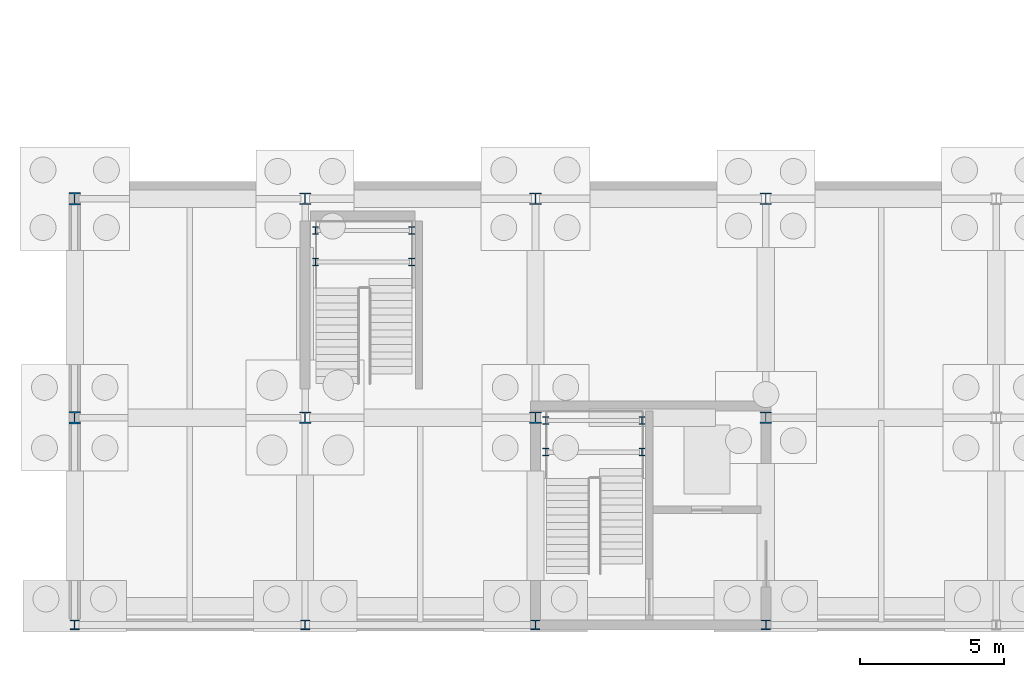
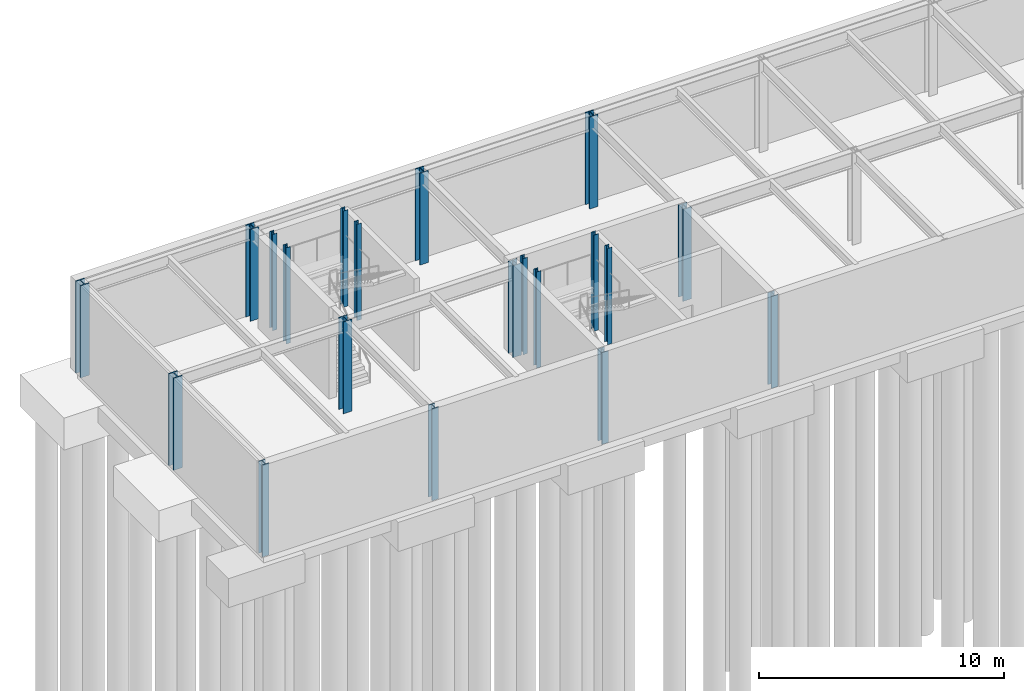
# One storey, part 5 of 21: 20 columns.
"""IFC4 building model written with IfcOpenShell, lengths in metres."""

from ifc_helpers import new_model, si_unit, direction, frame, origin, origin_2d, place, context, subcontext, project, spatial, i_section, extrude, material, material_profile, profile_set, type_object, element, save


model = new_model("IFC4")

# Units and contexts
model_context = context("Model", 3, precision=1e-05, world=origin(), true_north=direction((0.0, 1.0)))
body_context = subcontext(model_context, "Body", "Model", "MODEL_VIEW")
ifc_project = project(units=[si_unit("LENGTHUNIT", "METRE"), si_unit("AREAUNIT", "SQUARE_METRE"), si_unit("VOLUMEUNIT", "CUBIC_METRE"), si_unit("PLANEANGLEUNIT", "RADIAN"), si_unit("MASSUNIT", "GRAM", prefix="KILO")], contexts=[model_context])

# Site, building, storey
site_placement = place(None, origin())
site = spatial("IfcSite", under=ifc_project, at=site_placement, CompositionType="ELEMENT")
building_placement = place(site_placement, origin())
building = spatial("IfcBuilding", under=site, at=building_placement, Name="Zulena Civic Courthouse", CompositionType="ELEMENT")
storey_placement = place(building_placement, frame((0.0, 0.0, -4.800048828125)))
storey = spatial("IfcBuildingStorey", under=building, at=storey_placement, Name="B01", CompositionType="ELEMENT", Elevation=-4.800048828125)

# Columns
ifc_material = material(Name="Steel ASTM A992 Grade 50", Category="steel")
ifc_material_profile_1 = material_profile(ifc_material, i_section(OverallWidth=0.2041015625, OverallDepth=0.257080078125, WebThickness=0.0087890625, FlangeThickness=0.015625, FilletRadius=0.0126953125, at=origin_2d()), Name="W10X45")
ifc_profile_set_1 = profile_set([ifc_material_profile_1], Name="Steel ASTM A992 Grade 50")
column_type_1 = type_object("IfcColumnType", Name="Col_W10X45", PredefinedType="COLUMN", material=ifc_profile_set_1)
for number, where, z_axis, x_axis, name in (
    (1, (20.360107421875, 52.0, 0.0), (0.0, 0.0, 1.0), (1.0, 0.0, 0.0), "col:lnd:K5A:B01:0:0"),
    (2, (23.699951171875, 52.0, 0.0), (0.0, 0.0, 1.0), (1.0, 0.0, 0.0), "col:lnd:K5A:B01:0:1"),
    (3, (20.360107421875, 53.10009765625, 0.0), (0.0, 0.0, 1.0), (1.0, 0.0, 0.0), "col:lnd:K5A:B01:1:0"),
    (4, (23.699951171875, 53.10009765625, 0.0), (0.0, 0.0, 1.0), (1.0, 0.0, 0.0), "col:lnd:K5A:B01:1:1"),
    (5, (12.360107421875, 58.60009765625, 0.0), (0.0, 0.0, 1.0), (1.0, 0.0, 0.0), "col:lnd:STB1:B01:0:0"),
    (6, (15.699951171875, 58.60009765625, 0.0), (0.0, 0.0, 1.0), (1.0, 0.0, 0.0), "col:lnd:STB1:B01:0:1"),
    (7, (12.360107421875, 59.699951171875, 0.0), (0.0, 0.0, 1.0), (1.0, 0.0, 0.0), "col:lnd:STB1:B01:1:0"),
    (8, (15.699951171875, 59.699951171875, 0.0), (0.0, 0.0, 1.0), (1.0, 0.0, 0.0), "col:lnd:STB1:B01:1:1"),
):
    element("IfcColumn", number, at=place(storey_placement, frame(where, z_axis=z_axis, x_axis=x_axis)), inside=storey, type_object=column_type_1, Name=name, PredefinedType="COLUMN", context=body_context, shape_type="SweptSolid", body=[
        extrude(i_section(OverallWidth=0.2041015625, OverallDepth=0.257080078125, WebThickness=0.0087890625, FlangeThickness=0.015625, FilletRadius=0.0126953125, at=origin_2d()), origin(), (0.0, 0.0, 1.0), 4.795166015625),
    ])
ifc_material_profile_2 = material_profile(ifc_material, i_section(OverallWidth=0.31298828125, OverallDepth=0.3330078125, WebThickness=0.01806640625, FlangeThickness=0.0283203125, FilletRadius=0.01513671875, at=origin_2d()), Name="W12X120")
ifc_profile_set_2 = profile_set([ifc_material_profile_2], Name="Steel ASTM A992 Grade 50")
column_type_2 = type_object("IfcColumnType", Name="Col_W12X120", PredefinedType="COLUMN", material=ifc_profile_set_2)
for number, where, z_axis, x_axis, name in (
    (9, (4.0, 46.0, 0.0), (0.0, 0.0, 1.0), (1.0, 0.0, 0.0), "col:V5:B01:4.0:46.0"),
    (10, (12.0, 46.0, 0.0), (0.0, 0.0, 1.0), (1.0, 0.0, 0.0), "col:V5:B01:12.0:46.0"),
    (11, (20.0, 46.0, 0.0), (0.0, 0.0, 1.0), (1.0, 0.0, 0.0), "col:V5:B01:20.0:46.0"),
    (12, (28.0, 46.0, 0.0), (0.0, 0.0, 1.0), (1.0, 0.0, 0.0), "col:V5:B01:28.0:46.0"),
):
    element("IfcColumn", number, at=place(storey_placement, frame(where, z_axis=z_axis, x_axis=x_axis)), inside=storey, type_object=column_type_2, Name=name, PredefinedType="COLUMN", context=body_context, shape_type="SweptSolid", body=[
        extrude(i_section(OverallWidth=0.31298828125, OverallDepth=0.3330078125, WebThickness=0.01806640625, FlangeThickness=0.0283203125, FilletRadius=0.01513671875, at=origin_2d()), origin(), (0.0, 0.0, 1.0), 4.580078125),
    ])
ifc_material_profile_3 = material_profile(ifc_material, i_section(OverallWidth=0.40087890625, OverallDepth=0.39892578125, WebThickness=0.02490234375, FlangeThickness=0.03955078125, FilletRadius=0.01513671875, at=origin_2d()), Name="W14X211")
ifc_profile_set_3 = profile_set([ifc_material_profile_3], Name="Steel ASTM A992 Grade 50")
column_type_3 = type_object("IfcColumnType", Name="Col_W14X211", PredefinedType="COLUMN", material=ifc_profile_set_3)
for number, where, z_axis, x_axis, name in (
    (13, (12.0, 53.199951171875, 0.0), (0.0, 0.0, 1.0), (1.0, 0.0, 0.0), "col:V5:B01:12.0:53.2"),
    (14, (12.0, 60.800048828125, 0.0), (0.0, 0.0, 1.0), (1.0, 0.0, 0.0), "col:V5:B01:12.0:60.8"),
    (15, (20.0, 53.199951171875, 0.0), (0.0, 0.0, 1.0), (1.0, 0.0, 0.0), "col:V5:B01:20.0:53.2"),
    (16, (20.0, 60.800048828125, 0.0), (0.0, 0.0, 1.0), (1.0, 0.0, 0.0), "col:V5:B01:20.0:60.8"),
    (17, (28.0, 53.199951171875, 0.0), (0.0, 0.0, 1.0), (1.0, 0.0, 0.0), "col:V5:B01:28.0:53.2"),
    (18, (28.0, 60.800048828125, 0.0), (0.0, 0.0, 1.0), (1.0, 0.0, 0.0), "col:V5:B01:28.0:60.8"),
):
    element("IfcColumn", number, at=place(storey_placement, frame(where, z_axis=z_axis, x_axis=x_axis)), inside=storey, type_object=column_type_3, Name=name, PredefinedType="COLUMN", context=body_context, shape_type="SweptSolid", body=[
        extrude(i_section(OverallWidth=0.40087890625, OverallDepth=0.39892578125, WebThickness=0.02490234375, FlangeThickness=0.03955078125, FilletRadius=0.01513671875, at=origin_2d()), origin(), (0.0, 0.0, 1.0), 4.580078125),
    ])
ifc_material_profile_4 = material_profile(ifc_material, i_section(OverallWidth=0.412109375, OverallDepth=0.43505859375, WebThickness=0.035888671875, FlangeThickness=0.057373046875, FilletRadius=0.01513671875, at=origin_2d()), Name="W14X311")
ifc_profile_set_4 = profile_set([ifc_material_profile_4], Name="Steel ASTM A992 Grade 50")
column_type_4 = type_object("IfcColumnType", Name="Col_W14X311", PredefinedType="COLUMN", material=ifc_profile_set_4)
for number, where, z_axis, x_axis, name in (
    (19, (4.0, 53.199951171875, 0.0), (0.0, 0.0, 1.0), (1.0, 0.0, 0.0), "col:V5:B01:4.0:53.2"),
    (20, (4.0, 60.800048828125, 0.0), (0.0, 0.0, 1.0), (1.0, 0.0, 0.0), "col:V5:B01:4.0:60.8"),
):
    element("IfcColumn", number, at=place(storey_placement, frame(where, z_axis=z_axis, x_axis=x_axis)), inside=storey, type_object=column_type_4, Name=name, PredefinedType="COLUMN", context=body_context, shape_type="SweptSolid", body=[
        extrude(i_section(OverallWidth=0.412109375, OverallDepth=0.43505859375, WebThickness=0.035888671875, FlangeThickness=0.057373046875, FilletRadius=0.01513671875, at=origin_2d()), origin(), (0.0, 0.0, 1.0), 4.580078125),
    ])

save(model, "model.ifc")
